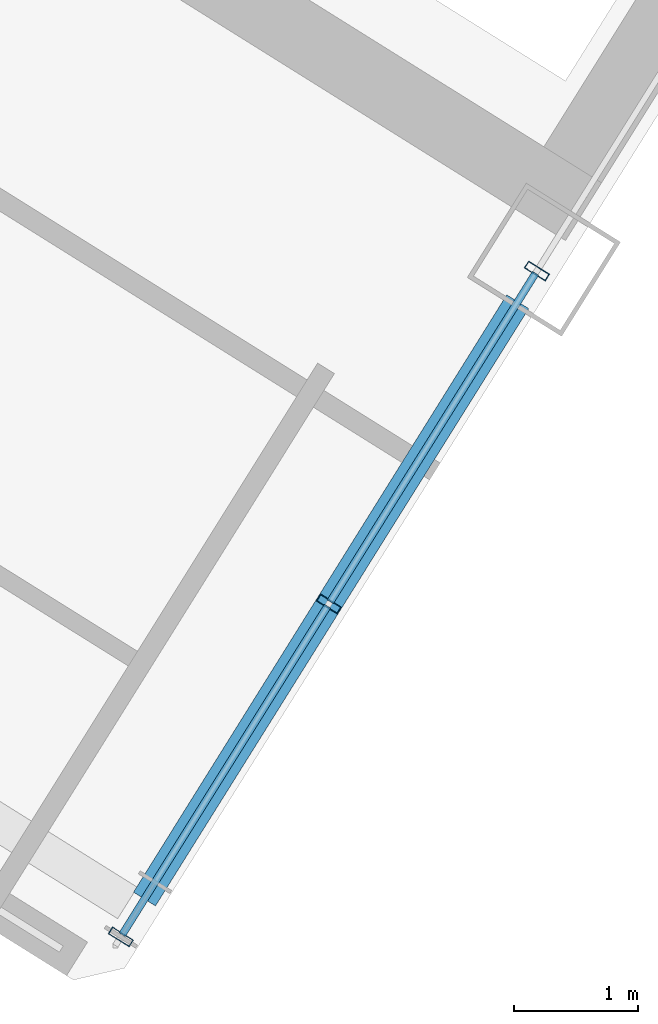
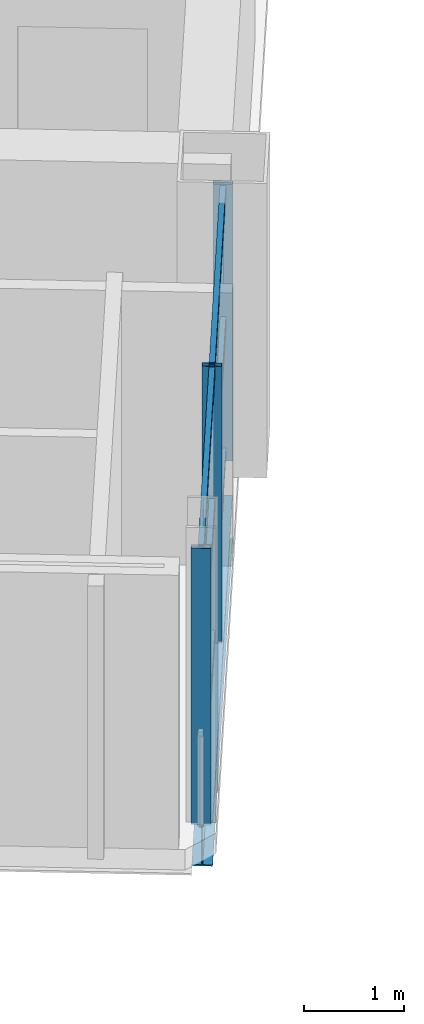
# One storey, part 6 of 19: 9 members, 1 beam, 1 element without a shape of its own.
"""IFC4 building model written with IfcOpenShell, lengths in metres."""

from ifc_helpers import new_model, si_unit, direction, frame, origin, origin_2d, place, context, subcontext, project, spatial, hollow_rectangle, i_section, extrude, source, transform, mapped, material, material_profile, profile_set, type_object, element, aggregate, save


model = new_model("IFC4")

# Units and contexts
model_context = context("Model", 3, precision=1e-05, world=origin(), true_north=direction((0.0, 1.0)))
body_context = subcontext(model_context, "Body", "Model", "MODEL_VIEW")
ifc_project = project(units=[si_unit("LENGTHUNIT", "METRE"), si_unit("AREAUNIT", "SQUARE_METRE"), si_unit("VOLUMEUNIT", "CUBIC_METRE"), si_unit("PLANEANGLEUNIT", "RADIAN"), si_unit("MASSUNIT", "GRAM", prefix="KILO")], contexts=[model_context])

# Site, building, storey
site_placement = place(None, origin())
site = spatial("IfcSite", under=ifc_project, at=site_placement, CompositionType="ELEMENT")
building_placement = place(site_placement, origin())
building = spatial("IfcBuilding", under=site, at=building_placement, Name="Tlacorven Tower", CompositionType="ELEMENT")
storey_placement = place(building_placement, frame((0.0, 0.0, 144.300048828125)))
storey = spatial("IfcBuildingStorey", under=building, at=storey_placement, Name="L36", CompositionType="ELEMENT", Elevation=144.300048828125)

# Beam
ifc_material_1 = material(Name="Steel S355J2", Category="steel")
ifc_material_profile_1 = material_profile(ifc_material_1, i_section(OverallWidth=0.2099609375, OverallDepth=0.550048828125, WebThickness=0.010986328125, FlangeThickness=0.01708984375, at=origin_2d()), Name="IPE 550")
ifc_profile_set_1 = profile_set([ifc_material_profile_1], Name="Steel S355J2")
beam_type = type_object("IfcBeamType", Name="BM-TWR-550", PredefinedType="BEAM", material=ifc_profile_set_1)
shared_shape_1 = source(origin(), body_context, "Body", "SweptSolid", [
    extrude(i_section(OverallWidth=0.2099609375, OverallDepth=0.550048828125, WebThickness=0.010986328125, FlangeThickness=0.01708984375, at=origin_2d()), origin(), (0.0, 0.0, 1.0), 5.699951171875),
])
beam_placement = place(storey_placement, frame((32.834228515625, 11.74755859375, -0.525146484375), z_axis=(-0.529925785607, -0.848044021115, 0.0), x_axis=(0.848044021115, -0.529925785607, 0.0)))
element("IfcBeam", 1, at=beam_placement, inside=storey, type_object=beam_type, Name="L36 beam BM-L36-WT1-2", PredefinedType="BEAM", context=body_context, shape_type="MappedRepresentation", body=[
    mapped(shared_shape_1, transform((0.0, 0.0, 0.0), scale=1.0)),
])

# Curtain wall, members
ifc_material_2 = material(Name="Dark solar low-E double glazing in aluminium frame", Category="aluminium")
curtain_wall_type = type_object("IfcCurtainWallType", Name="CW-TWR-MID", PredefinedType="USERDEFINED", material=ifc_material_2)
curtain_wall_placement = place(storey_placement, origin())
curtain_wall = element("IfcCurtainWall", 2, at=curtain_wall_placement, inside=storey, type_object=curtain_wall_type, Name="L36 CW-TWR-MID Curtain Wall 163", ObjectType="UNITISED CURTAIN WALL", PredefinedType="USERDEFINED")
ifc_material_3 = material(Name="Aluminium 6063-T6 anodised", Category="aluminium")
ifc_material_profile_2 = material_profile(ifc_material_3, hollow_rectangle(XDim=0.06494140625, YDim=0.199951171875, WallThickness=0.00439453125, at=origin_2d()), Name="ALU MULLION 65X200")
ifc_profile_set_2 = profile_set([ifc_material_profile_2], Name="Aluminium 6063-T6 anodised")
member_type_1 = type_object("IfcMemberType", Name="CWM-02", PredefinedType="MULLION", material=ifc_profile_set_2)
shared_shape_2 = source(origin(), body_context, "Body", "SweptSolid", [
    extrude(hollow_rectangle(XDim=0.06494140625, YDim=0.199951171875, WallThickness=0.00439453125, at=origin_2d()), origin(), (0.0, 0.0, 1.0), 3.3798828125),
])
member_1_placement = place(storey_placement, frame((32.9892578125, 11.99560546875, -0.02001953125), z_axis=(0.0, 0.0, 1.0), x_axis=(-0.529919272078, -0.848048091255, 0.0)))
member_1 = element("IfcMember", 3, at=member_1_placement, type_object=member_type_1, Name="CW-L36-163 Mullion 1", PredefinedType="MULLION", context=body_context, shape_type="MappedRepresentation", body=[
    mapped(shared_shape_2, transform((0.0, 0.0, 0.0), scale=1.0)),
])
member_2_placement = place(storey_placement, frame((31.3056640625, 9.301513671875, -0.02001953125), z_axis=(0.0, 0.0, 1.0), x_axis=(-0.529919272078, -0.848048091255, 0.0)))
member_2 = element("IfcMember", 4, at=member_2_placement, type_object=member_type_1, Name="CW-L36-163 Mullion 2", PredefinedType="MULLION", context=body_context, shape_type="MappedRepresentation", body=[
    mapped(shared_shape_2, transform((0.0, 0.0, 0.0), scale=1.0)),
])
member_3_placement = place(storey_placement, frame((29.622314453125, 6.607421875, -0.02001953125), z_axis=(0.0, 0.0, 1.0), x_axis=(-0.529919272078, -0.848048091255, 0.0)))
member_3 = element("IfcMember", 5, at=member_3_placement, type_object=member_type_1, Name="CW-L36-163 Mullion 3", PredefinedType="MULLION", context=body_context, shape_type="MappedRepresentation", body=[
    mapped(shared_shape_2, transform((0.0, 0.0, 0.0), scale=1.0)),
])
ifc_material_profile_3 = material_profile(ifc_material_3, hollow_rectangle(XDim=0.06005859375, YDim=0.139892578125, WallThickness=0.00390625, at=origin_2d()), Name="ALU TRANSOM 60X140")
ifc_profile_set_3 = profile_set([ifc_material_profile_3], Name="Aluminium 6063-T6 anodised")
member_type_2 = type_object("IfcMemberType", Name="CWT-02", PredefinedType="USERDEFINED", material=ifc_profile_set_3)
shared_shape_3 = source(origin(), body_context, "Body", "SweptSolid", [
    extrude(hollow_rectangle(XDim=0.06005859375, YDim=0.139892578125, WallThickness=0.00390625, at=origin_2d()), origin(), (0.0, 0.0, 1.0), 3.1357421875),
])
member_4_placement = place(storey_placement, frame((32.978271484375, 11.978271484375, 0.070068359375), z_axis=(-0.529914953616, -0.848050789714, 0.0), x_axis=(0.848050789714, -0.529914953616, 0.0)))
member_4 = element("IfcMember", 6, at=member_4_placement, type_object=member_type_2, Name="CW-L36-163 Transom 1", ObjectType="TRANSOM", PredefinedType="USERDEFINED", context=body_context, shape_type="MappedRepresentation", body=[
    mapped(shared_shape_3, transform((0.0, 0.0, 0.0), scale=1.0)),
])
member_5_placement = place(storey_placement, frame((32.978271484375, 11.978271484375, 1.675048828125), z_axis=(-0.529914953616, -0.848050789714, 0.0), x_axis=(0.848050789714, -0.529914953616, 0.0)))
member_5 = element("IfcMember", 7, at=member_5_placement, type_object=member_type_2, Name="CW-L36-163 Transom 2", ObjectType="TRANSOM", PredefinedType="USERDEFINED", context=body_context, shape_type="MappedRepresentation", body=[
    mapped(shared_shape_3, transform((0.0, 0.0, 0.0), scale=1.0)),
])
member_6_placement = place(storey_placement, frame((32.978271484375, 11.978271484375, 3.280029296875), z_axis=(-0.529914953616, -0.848050789714, 0.0), x_axis=(0.848050789714, -0.529914953616, 0.0)))
member_6 = element("IfcMember", 8, at=member_6_placement, type_object=member_type_2, Name="CW-L36-163 Transom 3", ObjectType="TRANSOM", PredefinedType="USERDEFINED", context=body_context, shape_type="MappedRepresentation", body=[
    mapped(shared_shape_3, transform((0.0, 0.0, 0.0), scale=1.0)),
])
shared_shape_4 = source(origin(), body_context, "Body", "SweptSolid", [
    extrude(hollow_rectangle(XDim=0.06005859375, YDim=0.139892578125, WallThickness=0.00390625, at=origin_2d()), origin(), (0.0, 0.0, 1.0), 3.135986328125),
])
member_7_placement = place(storey_placement, frame((31.294921875, 9.2841796875, 0.070068359375), z_axis=(-0.529935957458, -0.848037664843, 0.0), x_axis=(0.848037664843, -0.529935957458, 0.0)))
member_7 = element("IfcMember", 9, at=member_7_placement, type_object=member_type_2, Name="CW-L36-163 Transom 4", ObjectType="TRANSOM", PredefinedType="USERDEFINED", context=body_context, shape_type="MappedRepresentation", body=[
    mapped(shared_shape_4, transform((0.0, 0.0, 0.0), scale=1.0)),
])
member_8_placement = place(storey_placement, frame((31.294921875, 9.2841796875, 1.675048828125), z_axis=(-0.529935957458, -0.848037664843, 0.0), x_axis=(0.848037664843, -0.529935957458, 0.0)))
member_8 = element("IfcMember", 10, at=member_8_placement, type_object=member_type_2, Name="CW-L36-163 Transom 5", ObjectType="TRANSOM", PredefinedType="USERDEFINED", context=body_context, shape_type="MappedRepresentation", body=[
    mapped(shared_shape_4, transform((0.0, 0.0, 0.0), scale=1.0)),
])
member_9_placement = place(storey_placement, frame((31.294921875, 9.2841796875, 3.280029296875), z_axis=(-0.529935957458, -0.848037664843, 0.0), x_axis=(0.848037664843, -0.529935957458, 0.0)))
member_9 = element("IfcMember", 11, at=member_9_placement, type_object=member_type_2, Name="CW-L36-163 Transom 6", ObjectType="TRANSOM", PredefinedType="USERDEFINED", context=body_context, shape_type="MappedRepresentation", body=[
    mapped(shared_shape_4, transform((0.0, 0.0, 0.0), scale=1.0)),
])
aggregate(curtain_wall, [member_1, member_2, member_3, member_4, member_5, member_6, member_7, member_8, member_9])

save(model, "model.ifc")
